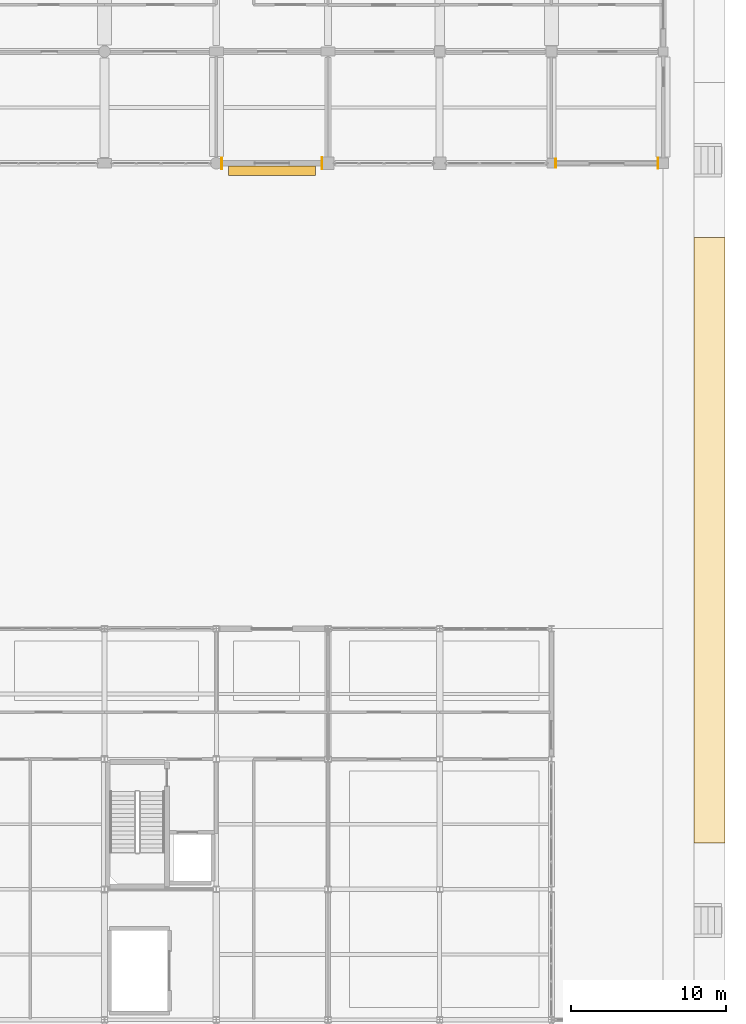
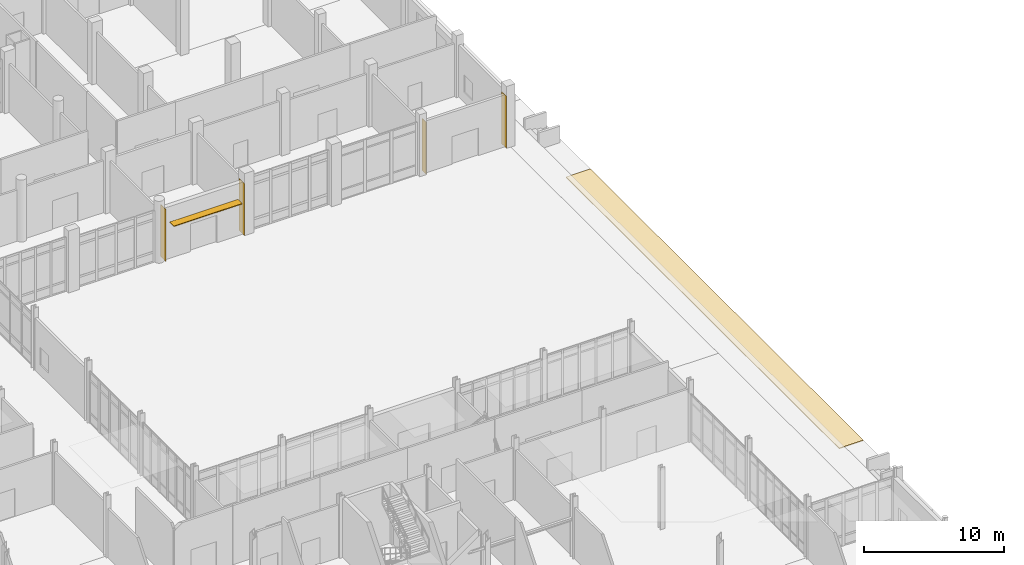
# One storey, part 228 of 229: 5 coverings, 1 shading device.
"""IFC4 building model written with IfcOpenShell, lengths in metres."""

import ifcopenshell
import ifcopenshell.guid

model = None  # the IFC model being written
_history = None  # IfcOwnerHistory: only IFC2X3 demands one
_inside = {}  # id of a spatial element -> (the spatial element, [elements in it])
_under = {}  # id of a project, library or spatial element -> (it, [spatial elements below it])
_declared = {}  # id of a project -> (the project, [libraries it declares])
_typed = {}  # id of a type object -> (the type object, [elements of that type])
_made_of = {}  # id of a material, layer set ... -> (it, [elements and type objects made of it])


def new_model(schema):
    """Start an empty IFC model of exactly this schema.

    Asked for "IFC4X3", IfcOpenShell would pick the latest addendum, in which some entities
    have other attributes; the version numbers below select the first issue.
    IFC2X3 requires an IfcOwnerHistory on every rooted entity: one is made here for all.
    """
    global model, _history
    if schema == "IFC4X3":
        model = ifcopenshell.file(schema_version=(4, 3, 0, 0))
    else:
        model = ifcopenshell.file(schema=schema)
    _inside.clear()
    _under.clear()
    _declared.clear()
    _typed.clear()
    _made_of.clear()
    _history = None
    if model.schema == "IFC2X3":
        org = make("IfcOrganization", Name="unknown")
        user = make(
            "IfcPersonAndOrganization",
            ThePerson=make("IfcPerson", FamilyName="unknown"),
            TheOrganization=org,
        )
        app = make(
            "IfcApplication",
            ApplicationDeveloper=org,
            Version="unknown",
            ApplicationFullName="unknown",
            ApplicationIdentifier="unknown",
        )
        _history = make(
            "IfcOwnerHistory",
            OwningUser=user,
            OwningApplication=app,
            ChangeAction="ADDED",
            CreationDate=0,
        )
    return model


def make(cls, **values):
    """One entity of the class cls with the attributes given. An attribute that is None is left unset."""
    return model.create_entity(
        cls, **{name: value for name, value in values.items() if value is not None}
    )


def rooted(cls, **values):
    """An entity with a GlobalId (a new one), such as an element, a storey or a relation."""
    return make(cls, GlobalId=ifcopenshell.guid.new(), OwnerHistory=_history, **values)


def si_unit(unit_type, name, prefix=None):
    """IfcSIUnit, for example si_unit("LENGTHUNIT", "METRE", prefix="MILLI")."""
    return make("IfcSIUnit", UnitType=unit_type, Prefix=prefix, Name=name)


def assignment(units):
    """IfcUnitAssignment: the units of a project."""
    return None if units is None else make("IfcUnitAssignment", Units=units)


def point(xyz):
    """IfcCartesianPoint."""
    return None if xyz is None else make("IfcCartesianPoint", Coordinates=xyz)


def direction(xyz):
    """IfcDirection."""
    return None if xyz is None else make("IfcDirection", DirectionRatios=xyz)


def frame(location, z_axis=None, x_axis=None):
    """IfcAxis2Placement3D, a coordinate frame: its origin and axes. An axis left out is left unset."""
    return make(
        "IfcAxis2Placement3D",
        Location=point(location),
        Axis=direction(z_axis),
        RefDirection=direction(x_axis),
    )


def frame_2d(location, x_axis=None):
    """IfcAxis2Placement2D, a coordinate frame in the plane: its origin and x axis."""
    return make(
        "IfcAxis2Placement2D", Location=point(location), RefDirection=direction(x_axis)
    )


def origin():
    """The frame at (0, 0, 0) with its axes left unset."""
    return frame((0.0, 0.0, 0.0))


def origin_2d():
    """The frame at (0, 0) in the plane with its x axis left unset."""
    return frame_2d((0.0, 0.0))


def place(relative_to, where):
    """IfcLocalPlacement: puts the frame where relative to a parent placement (None: the world)."""
    return make(
        "IfcLocalPlacement", PlacementRelTo=relative_to, RelativePlacement=where
    )


def context(
    kind, dimensions, precision=None, world=None, true_north=None, identifier=None
):
    """IfcGeometricRepresentationContext, for example the 3D "Model" context."""
    return make(
        "IfcGeometricRepresentationContext",
        ContextIdentifier=identifier,
        ContextType=kind,
        CoordinateSpaceDimension=dimensions,
        Precision=precision,
        WorldCoordinateSystem=world,
        TrueNorth=true_north,
    )


def subcontext(parent, identifier, kind, view, scale=None):
    """IfcGeometricRepresentationSubContext, for example "Body" below "Model"."""
    return make(
        "IfcGeometricRepresentationSubContext",
        ContextIdentifier=identifier,
        ContextType=kind,
        ParentContext=parent,
        TargetScale=scale,
        TargetView=view,
    )


def project(units=None, contexts=None):
    """IfcProject with its units and contexts."""
    return rooted(
        "IfcProject",
        Name="project",
        RepresentationContexts=contexts,
        UnitsInContext=assignment(units),
    )


def spatial(cls, under=None, at=None, **own):
    """A site, building, storey or space (cls), placed at a placement, below another one or the project."""
    s = rooted(cls, ObjectPlacement=at, **own)
    if under is not None:
        _under.setdefault(under.id(), (under, []))[1].append(s)
    return s


def polyline(points):
    """IfcPolyline through the points."""
    return make("IfcPolyline", Points=[point(p) for p in points])


def profile(cls, at=None, kind="AREA", **sizes):
    """A parametric profile (cls). Its sizes go by their IFC names, for example OverallWidth=200.0."""
    return make(cls, ProfileType=kind, Position=at, **sizes)


def rectangle(**sizes):
    """IfcRectangleProfileDef."""
    return profile("IfcRectangleProfileDef", **sizes)


def outline(outer, holes=None, kind="AREA"):
    """IfcArbitraryClosedProfileDef: a profile drawn as a closed curve; with holes, ...WithVoids."""
    if holes is None:
        return make("IfcArbitraryClosedProfileDef", ProfileType=kind, OuterCurve=outer)
    return make(
        "IfcArbitraryProfileDefWithVoids",
        ProfileType=kind,
        OuterCurve=outer,
        InnerCurves=holes,
    )


def extrude(swept, where, along, depth):
    """IfcExtrudedAreaSolid: the profile swept, set in the frame where, extruded along a direction by depth."""
    return make(
        "IfcExtrudedAreaSolid",
        SweptArea=swept,
        Position=where,
        ExtrudedDirection=direction(along),
        Depth=depth,
    )


def shape(context_of_items, identifier, shape_type, items):
    """IfcShapeRepresentation: the items that make up one representation, for example the "Body"."""
    return make(
        "IfcShapeRepresentation",
        ContextOfItems=context_of_items,
        RepresentationIdentifier=identifier,
        RepresentationType=shape_type,
        Items=items,
    )


def material(Name=None, Category=None):
    """IfcMaterial."""
    return make("IfcMaterial", Name=Name, Category=Category)


def layer(
    of_material, thickness, ventilated=None, Name=None, Category=None, Priority=None
):
    """IfcMaterialLayer: one layer of a wall or slab, of a material (None: an air gap)."""
    return make(
        "IfcMaterialLayer",
        Material=of_material,
        LayerThickness=thickness,
        IsVentilated=ventilated,
        Name=Name,
        Category=Category,
        Priority=Priority,
    )


def layer_set(layers, Name=None):
    """IfcMaterialLayerSet."""
    return make("IfcMaterialLayerSet", MaterialLayers=layers, LayerSetName=Name)


def made_of(thing, what):
    """Note that an element or type object is made of a material, layer set ...; save() writes the relation."""
    if what is not None:
        _made_of.setdefault(what.id(), (what, []))[1].append(thing)
    return thing


def type_object(cls, material=None, **own):
    """A type object (cls), such as IfcWallType, which elements share."""
    return made_of(rooted(cls, **own), material)


def element(
    cls,
    number,
    at=None,
    inside=None,
    cuts=None,
    type_object=None,
    material=None,
    context=None,
    identifier="Body",
    shape_type=None,
    held_by="IfcProductDefinitionShape",
    body=None,
    shapes=None,
    **own,
):
    """One element of the class cls, such as IfcWall. Its Tag is "e" and its number.

    at: its placement. inside: the storey or other place that contains it. cuts: it is an
    opening in that element (IfcRelVoidsElement). A single representation is given by context,
    identifier, shape_type and body (its items); several are given by shapes. held_by: the class
    of the entity that holds the representations. save() writes the other relations.
    """
    e = rooted(cls, Tag="e%d" % number, ObjectPlacement=at, **own)
    if body is not None:
        shapes = [shape(context, identifier, shape_type, body)]
    if shapes is not None:
        e.Representation = make(held_by, Representations=shapes)
    if inside is not None:
        _inside.setdefault(inside.id(), (inside, []))[1].append(e)
    if cuts is not None:
        rooted(
            "IfcRelVoidsElement", RelatingBuildingElement=cuts, RelatedOpeningElement=e
        )
    if type_object is not None:
        _typed.setdefault(type_object.id(), (type_object, []))[1].append(e)
    return made_of(e, material)


def aggregate(whole, parts):
    """IfcRelAggregates: a whole, such as a stair, and the parts it consists of."""
    return rooted("IfcRelAggregates", RelatingObject=whole, RelatedObjects=parts)


def save(model, path):
    """Write the relations noted so far, then the file.

    IfcRelAggregates (storeys below a building ...), IfcRelContainedInSpatialStructure (elements
    in a storey), IfcRelDefinesByType, IfcRelAssociatesMaterial and IfcRelDeclares: one each for
    every whole, place, type object, material and project.
    """
    for whole, parts in _under.values():
        aggregate(whole, parts)
    for where, things in _inside.values():
        rooted(
            "IfcRelContainedInSpatialStructure",
            RelatedElements=things,
            RelatingStructure=where,
        )
    for kind, things in _typed.values():
        rooted("IfcRelDefinesByType", RelatedObjects=things, RelatingType=kind)
    for what, things in _made_of.values():
        rooted("IfcRelAssociatesMaterial", RelatedObjects=things, RelatingMaterial=what)
    for by, libraries in _declared.values():
        rooted("IfcRelDeclares", RelatingContext=by, RelatedDefinitions=libraries)
    model.write(path)


model = new_model("IFC4")

# Units and contexts
model_context = context("Model", 3, precision=1e-05, world=origin(), true_north=direction((0.0, 1.0)))
body_context = subcontext(model_context, "Body", "Model", "MODEL_VIEW")
ifc_project = project(units=[si_unit("LENGTHUNIT", "METRE"), si_unit("AREAUNIT", "SQUARE_METRE"), si_unit("VOLUMEUNIT", "CUBIC_METRE"), si_unit("PLANEANGLEUNIT", "RADIAN"), si_unit("MASSUNIT", "GRAM", prefix="KILO")], contexts=[model_context])

# Site, building, storey
site_placement = place(None, origin())
site = spatial("IfcSite", under=ifc_project, at=site_placement, CompositionType="ELEMENT")
building_placement = place(site_placement, origin())
building = spatial("IfcBuilding", under=site, at=building_placement, Name="Calvrana Isthmian Art Gallery", CompositionType="ELEMENT")
storey_placement = place(building_placement, origin())
storey = spatial("IfcBuildingStorey", under=building, at=storey_placement, Name="L00", CompositionType="ELEMENT", Elevation=0.0)

# Coverings
ifc_material_1 = material(Name="Polychrome glazed terracotta", Category="masonry")
ifc_layer_1 = layer(ifc_material_1, 0.0400390625, Name="Polychrome glazed terracotta")
ifc_layer_set_1 = layer_set([ifc_layer_1], Name="Polychrome glazed terracotta")
covering_type_1 = type_object("IfcCoveringType", Name="COV-CLAD-TERRA", PredefinedType="CLADDING", material=ifc_layer_set_1)
covering_1_placement = place(storey_placement, origin())
element("IfcCovering", 1, at=covering_1_placement, inside=storey, type_object=covering_type_1, Name="Column pocket weather closure L00-17-10-W", PredefinedType="CLADDING", context=body_context, shape_type="SweptSolid", body=[
    extrude(outline(polyline([(134.735107421875, 76.429931640625), (134.77490234375, 76.429931640625), (134.77490234375, 77.169921875), (134.735107421875, 77.169921875), (134.735107421875, 76.429931640625)])), origin(), (0.0, 0.0, 1.0), 4.531005859375),
])
covering_2_placement = place(storey_placement, origin())
element("IfcCovering", 2, at=covering_2_placement, inside=storey, type_object=covering_type_1, Name="Column pocket weather closure L00-17-10-E", PredefinedType="CLADDING", context=body_context, shape_type="SweptSolid", body=[
    extrude(outline(polyline([(141.199951171875, 76.405029296875), (141.239990234375, 76.405029296875), (141.239990234375, 77.195068359375), (141.199951171875, 77.195068359375), (141.199951171875, 76.405029296875)])), origin(), (0.0, 0.0, 1.0), 4.531005859375),
])
covering_3_placement = place(storey_placement, origin())
element("IfcCovering", 3, at=covering_3_placement, inside=storey, type_object=covering_type_1, Name="Column pocket weather closure L00-20-10-W", PredefinedType="CLADDING", context=body_context, shape_type="SweptSolid", body=[
    extrude(outline(polyline([(156.260009765625, 76.5048828125), (156.300048828125, 76.5048828125), (156.300048828125, 77.094970703125), (156.260009765625, 77.094970703125), (156.260009765625, 76.5048828125)])), origin(), (0.0, 0.0, 1.0), 4.532958984375),
])
covering_4_placement = place(storey_placement, origin())
element("IfcCovering", 4, at=covering_4_placement, inside=storey, type_object=covering_type_1, Name="Column pocket weather closure L00-20-10-E", PredefinedType="CLADDING", context=body_context, shape_type="SweptSolid", body=[
    extrude(outline(polyline([(162.85009765625, 76.455078125), (162.889892578125, 76.455078125), (162.889892578125, 77.14501953125), (162.85009765625, 77.14501953125), (162.85009765625, 76.455078125)])), origin(), (0.0, 0.0, 1.0), 4.532958984375),
])
ifc_material_2 = material(Name="Pale Isthmian limestone", Category="masonry")
ifc_layer_2 = layer(ifc_material_2, 0.080078125, Name="Pale Isthmian limestone")
ifc_layer_set_2 = layer_set([ifc_layer_2], Name="Pale Isthmian limestone")
covering_type_2 = type_object("IfcCoveringType", Name="COV-SITE-PAVING", PredefinedType="USERDEFINED", material=ifc_layer_set_2)
covering_5_placement = place(storey_placement, frame((0.0, 0.0, -0.679931640625)))
element("IfcCovering", 5, at=covering_5_placement, inside=storey, type_object=covering_type_2, Name="Stepped hillside grade paving bench PAV_E_MID", ObjectType="PAVING", PredefinedType="USERDEFINED", context=body_context, shape_type="SweptSolid", body=[
    extrude(outline(polyline([(165.197998046875, 33.0), (167.199951171875, 33.0), (167.199951171875, 72.0), (165.197998046875, 72.0), (165.197998046875, 33.0)])), origin(), (0.0, 0.0, 1.0), 0.079833984375),
])

# Shading device
ifc_material_3 = material(Name="Anodized bronze aluminium 6063-T6", Category="aluminium")
ifc_layer_3 = layer(ifc_material_3, 0.06005859375, Name="Anodized bronze aluminium 6063-T6")
ifc_layer_set_3 = layer_set([ifc_layer_3], Name="Anodized bronze aluminium 6063-T6")
shading_device_type = type_object("IfcShadingDeviceType", Name="SHD-LOUVRE-600", PredefinedType="JALOUSIE", material=ifc_layer_set_3)
shading_device_placement = place(storey_placement, frame((137.987548828125, 76.326904296875, 3.119873046875), z_axis=(0.0, 0.0, 1.0), x_axis=(-1.0, 0.0, 0.0)))
element("IfcShadingDevice", 6, at=shading_device_placement, inside=storey, type_object=shading_device_type, Name="Anodized bronze horizontal canopy sunshade LV-04", PredefinedType="JALOUSIE", context=body_context, shape_type="SweptSolid", body=[
    extrude(rectangle(XDim=5.625, YDim=0.60009765625, at=origin_2d()), origin(), (0.0, 0.0, 1.0), 0.06005859375),
])

save(model, "model.ifc")
